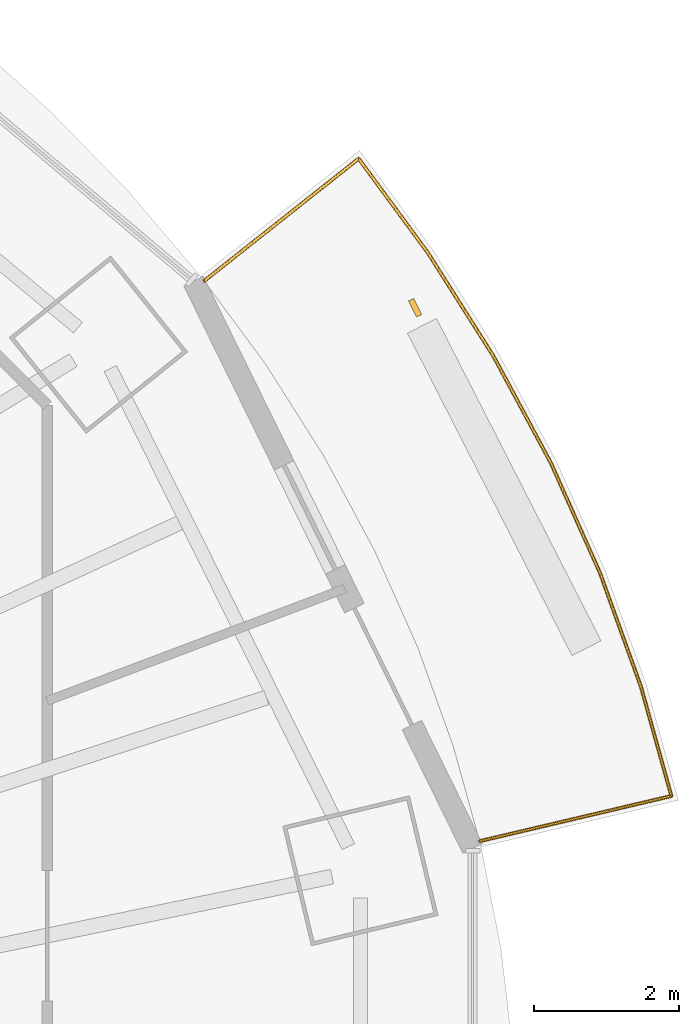
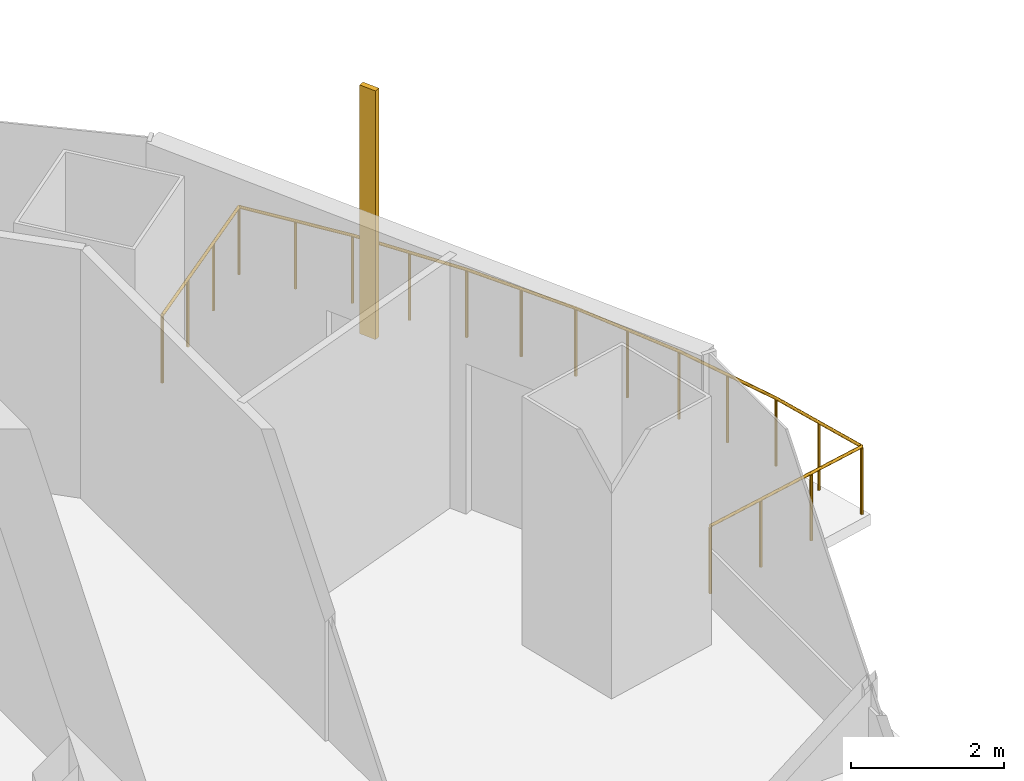
# One storey, part 15 of 16: 1 railing, 1 shading device.
"""IFC4 building model written with IfcOpenShell, lengths in metres."""

from ifc_helpers import new_model, si_unit, direction, frame, origin, origin_2d, place, context, subcontext, project, spatial, rectangle, circle, extrude, material, material_profile, profile_set, type_object, element, save


model = new_model("IFC4")

# Units and contexts
model_context = context("Model", 3, precision=1e-05, world=origin(), true_north=direction((0.0, 1.0)))
body_context = subcontext(model_context, "Body", "Model", "MODEL_VIEW")
ifc_project = project(units=[si_unit("LENGTHUNIT", "METRE"), si_unit("AREAUNIT", "SQUARE_METRE"), si_unit("VOLUMEUNIT", "CUBIC_METRE"), si_unit("PLANEANGLEUNIT", "RADIAN"), si_unit("MASSUNIT", "GRAM", prefix="KILO")], contexts=[model_context])

# Site, building, storey
site_placement = place(None, origin())
site = spatial("IfcSite", under=ifc_project, at=site_placement, CompositionType="ELEMENT")
building_placement = place(site_placement, origin())
building = spatial("IfcBuilding", under=site, at=building_placement, Name="Marenthal Gate Tower", CompositionType="ELEMENT")
storey_placement = place(building_placement, frame((0.0, 0.0, 379.949951171875)))
storey = spatial("IfcBuildingStorey", under=building, at=storey_placement, Name="L86", CompositionType="ELEMENT", Elevation=379.949951171875)

# Railing
ifc_material_1 = material(Name="Stainless steel", Category="steel")
railing_type = type_object("IfcRailingType", Name="Balcony guard 1100", PredefinedType="GUARDRAIL", material=ifc_material_1)
railing_placement = place(storey_placement, frame((21.2197265625, 12.98486328125, 0.0)))
element("IfcRailing", 1, at=railing_placement, inside=storey, type_object=railing_type, Name="Balcony guard L86 bay 1", PredefinedType="GUARDRAIL", context=body_context, shape_type="SweptSolid", body=[
    extrude(circle(Radius=0.02392578125, at=origin_2d()), frame((0.0, 0.0, 1.076171875), z_axis=(0.783891722645, 0.620723054021, -0.014719285839), x_axis=(-0.620790307063, 0.783976654408, 0.0)), (0.0, 0.0, 1.0), 2.72021484375),
    extrude(circle(Radius=0.02392578125, at=origin_2d()), frame((2.13232421875, 1.6884765625, 1.0361328125), z_axis=(0.592278211016, -0.805733529621, 0.0), x_axis=(0.805733529621, 0.592278211016, 0.0)), (0.0, 0.0, 1.0), 1.61962890625),
    extrude(circle(Radius=0.02392578125, at=origin_2d()), frame((3.091552734375, 0.383544921875, 1.0361328125), z_axis=(0.535526927238, -0.844518152678, 0.0), x_axis=(0.844518152678, 0.535526927238, 0.0)), (0.0, 0.0, 1.0), 1.687744140625),
    extrude(circle(Radius=0.02392578125, at=origin_2d()), frame((3.995361328125, -1.041748046875, 1.0361328125), z_axis=(0.473457232822, -0.880816807679, 0.0), x_axis=(0.880816807679, 0.473457232822, 0.0)), (0.0, 0.0, 1.0), 1.677001953125),
    extrude(circle(Radius=0.02392578125, at=origin_2d()), frame((4.789306640625, -2.518798828125, 1.0361328125), z_axis=(0.407605060016, -0.913158318721, 0.0), x_axis=(0.913158318721, 0.407605060016, 0.0)), (0.0, 0.0, 1.0), 1.66748046875),
    extrude(circle(Radius=0.02392578125, at=origin_2d()), frame((5.468994140625, -4.04150390625, 1.0361328125), z_axis=(0.338610035627, -0.940926800433, 0.0), x_axis=(0.940926800433, 0.338610035627, 0.0)), (0.0, 0.0, 1.0), 1.658935546875),
    extrude(circle(Radius=0.02392578125, at=origin_2d()), frame((6.03076171875, -5.6025390625, 1.0361328125), z_axis=(0.268420452005, -0.963301853494, 0.0), x_axis=(0.963301853494, 0.268420452005, 0.0)), (0.0, 0.0, 1.0), 1.572509765625),
    extrude(circle(Radius=0.02392578125, at=origin_2d()), frame((6.452880859375, -7.117431640625, 1.0361328125), z_axis=(-0.973222195999, -0.229394682126, 0.014718594628), x_axis=(0.229419533855, -0.973327631112, 0.0)), (0.0, 0.0, 1.0), 2.72021484375),
    extrude(circle(Radius=0.02099609375, at=origin_2d()), origin(), (0.0, 0.0, 1.0), 1.052001953125),
    extrude(circle(Radius=0.02099609375, at=origin_2d()), frame((0.710693359375, 0.562744140625, -0.013427734375)), (0.0, 0.0, 1.0), 1.052001953125),
    extrude(circle(Radius=0.02099609375, at=origin_2d()), frame((1.421630859375, 1.125732421875, -0.026611328125)), (0.0, 0.0, 1.0), 1.052001953125),
    extrude(circle(Radius=0.02099609375, at=origin_2d()), frame((2.13232421875, 1.6884765625, -0.0400390625)), (0.0, 0.0, 1.0), 1.052001953125),
    extrude(circle(Radius=0.02099609375, at=origin_2d()), frame((2.61181640625, 1.0361328125, -0.0400390625)), (0.0, 0.0, 1.0), 1.052001953125),
    extrude(circle(Radius=0.02099609375, at=origin_2d()), frame((3.091552734375, 0.383544921875, -0.0400390625)), (0.0, 0.0, 1.0), 1.052001953125),
    extrude(circle(Radius=0.02099609375, at=origin_2d()), frame((3.54345703125, -0.3291015625, -0.0400390625)), (0.0, 0.0, 1.0), 1.052001953125),
    extrude(circle(Radius=0.02099609375, at=origin_2d()), frame((3.995361328125, -1.041748046875, -0.0400390625)), (0.0, 0.0, 1.0), 1.052001953125),
    extrude(circle(Radius=0.02099609375, at=origin_2d()), frame((4.392333984375, -1.7802734375, -0.0400390625)), (0.0, 0.0, 1.0), 1.052001953125),
    extrude(circle(Radius=0.02099609375, at=origin_2d()), frame((4.789306640625, -2.518798828125, -0.0400390625)), (0.0, 0.0, 1.0), 1.052001953125),
    extrude(circle(Radius=0.02099609375, at=origin_2d()), frame((5.129150390625, -3.2802734375, -0.0400390625)), (0.0, 0.0, 1.0), 1.052001953125),
    extrude(circle(Radius=0.02099609375, at=origin_2d()), frame((5.468994140625, -4.04150390625, -0.0400390625)), (0.0, 0.0, 1.0), 1.052001953125),
    extrude(circle(Radius=0.02099609375, at=origin_2d()), frame((5.75, -4.822021484375, -0.0400390625)), (0.0, 0.0, 1.0), 1.052001953125),
    extrude(circle(Radius=0.02099609375, at=origin_2d()), frame((6.03076171875, -5.6025390625, -0.0400390625)), (0.0, 0.0, 1.0), 1.052001953125),
    extrude(circle(Radius=0.02099609375, at=origin_2d()), frame((6.24169921875, -6.35986328125, -0.0400390625)), (0.0, 0.0, 1.0), 1.052001953125),
    extrude(circle(Radius=0.02099609375, at=origin_2d()), frame((6.452880859375, -7.117431640625, -0.0400390625)), (0.0, 0.0, 1.0), 1.052001953125),
    extrude(circle(Radius=0.02099609375, at=origin_2d()), frame((5.5703125, -7.325439453125, -0.026611328125)), (0.0, 0.0, 1.0), 1.052001953125),
    extrude(circle(Radius=0.02099609375, at=origin_2d()), frame((4.68798828125, -7.533447265625, -0.013427734375)), (0.0, 0.0, 1.0), 1.052001953125),
    extrude(circle(Radius=0.02099609375, at=origin_2d()), frame((3.805419921875, -7.741455078125, 0.0)), (0.0, 0.0, 1.0), 1.052001953125),
])

# Shading device
ifc_material_2 = material(Name="Terracotta", Category="masonry")
ifc_material_profile = material_profile(ifc_material_2, rectangle(XDim=0.25, YDim=0.080078125, at=origin_2d()), Name="Terracotta baguette 250x80")
ifc_profile_set = profile_set([ifc_material_profile], Name="Terracotta")
shading_device_type = type_object("IfcShadingDeviceType", Name="Terracotta BAGUETTE SCREEN 250x80", PredefinedType="USERDEFINED", material=ifc_profile_set)
shading_device_placement = place(storey_placement, frame((24.13134765625, 12.61376953125, -0.0400390625), z_axis=(0.0, 0.0, 1.0), x_axis=(-0.44093893362, 0.897537106096, 0.0)))
element("IfcShadingDevice", 2, at=shading_device_placement, inside=storey, type_object=shading_device_type, Name="Terracotta BAGUETTE L86 bay 1R", ObjectType="BAGUETTE SCREEN", PredefinedType="USERDEFINED", context=body_context, shape_type="SweptSolid", body=[
    extrude(rectangle(XDim=0.25, YDim=0.080078125, at=origin_2d()), origin(), (0.0, 0.0, 1.0), 3.969970703125),
])

save(model, "model.ifc")
